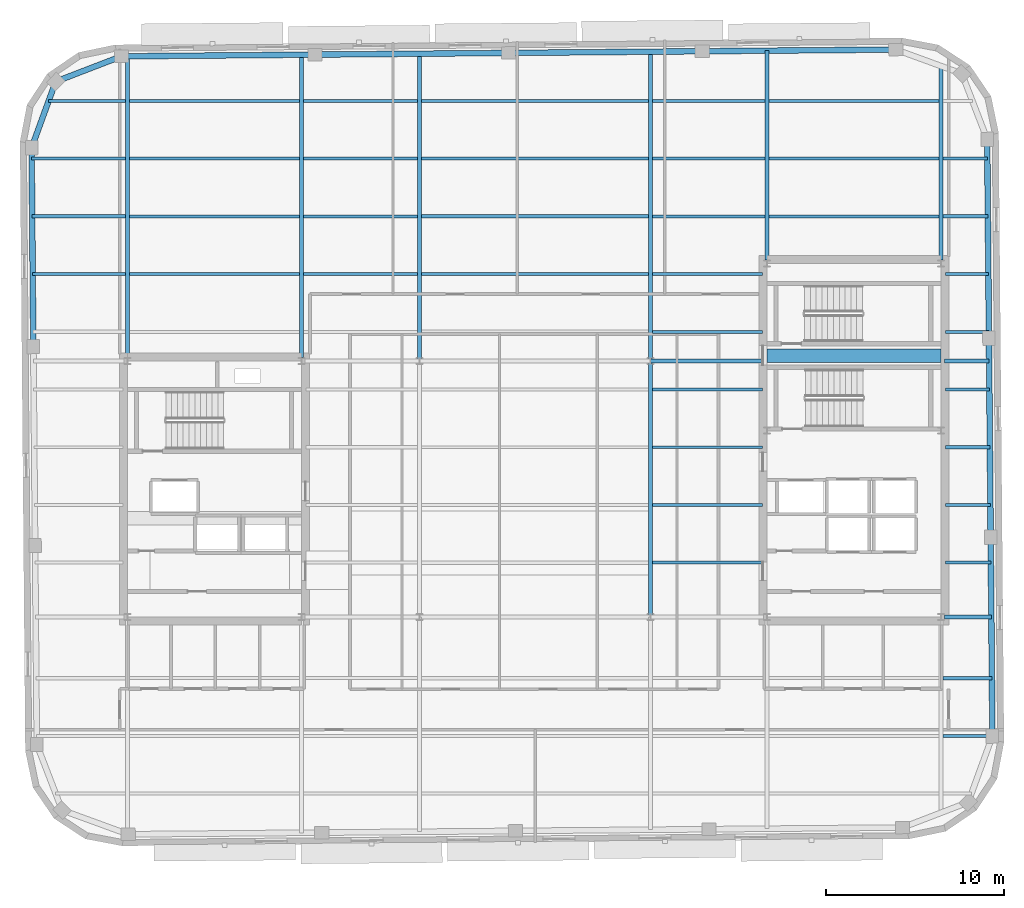
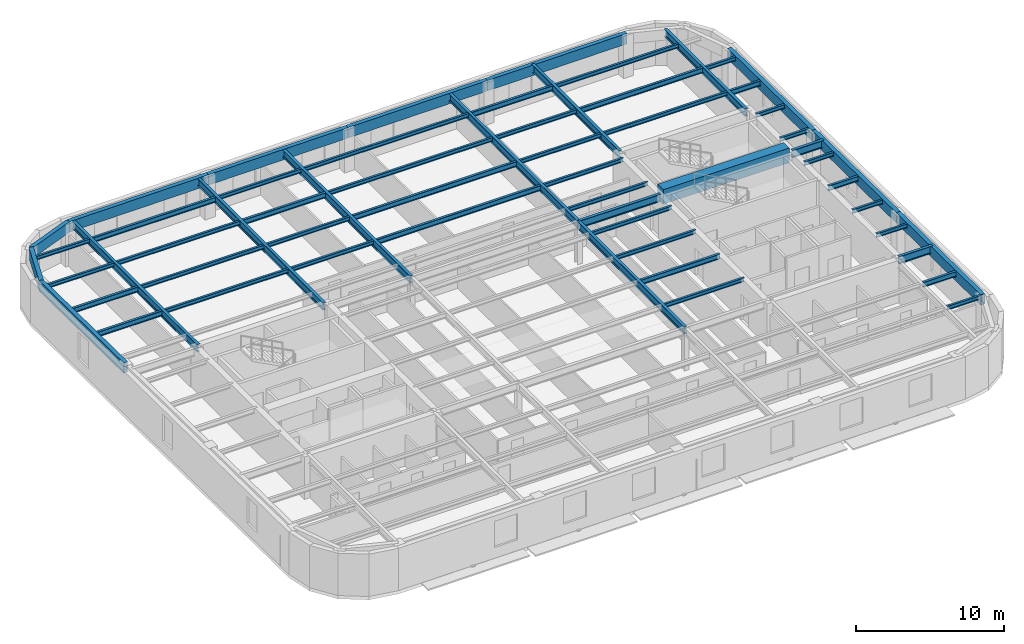
# One storey, part 5 of 14: 59 beams.
"""IFC4 building model written with IfcOpenShell, lengths in metres."""

from ifc_helpers import new_model, si_unit, direction, frame, origin, origin_2d, place, context, subcontext, project, spatial, rectangle, hollow_rectangle, i_section, extrude, material, material_profile, profile_set, type_object, element, save


model = new_model("IFC4")

# Units and contexts
model_context = context("Model", 3, precision=1e-05, world=origin(), true_north=direction((0.0, 1.0)))
body_context = subcontext(model_context, "Body", "Model", "MODEL_VIEW")
ifc_project = project(units=[si_unit("LENGTHUNIT", "METRE"), si_unit("AREAUNIT", "SQUARE_METRE"), si_unit("VOLUMEUNIT", "CUBIC_METRE"), si_unit("PLANEANGLEUNIT", "RADIAN"), si_unit("MASSUNIT", "GRAM", prefix="KILO")], contexts=[model_context])

# Site, building, storey
site_placement = place(None, origin())
site = spatial("IfcSite", under=ifc_project, at=site_placement, CompositionType="ELEMENT")
building_placement = place(site_placement, origin())
building = spatial("IfcBuilding", under=site, at=building_placement, Name="Kolvaren Arena Tower", CompositionType="ELEMENT")
storey_placement = place(building_placement, frame((0.0, 0.0, 297.39990234375)))
storey = spatial("IfcBuildingStorey", under=building, at=storey_placement, Name="L73", CompositionType="ELEMENT", Elevation=297.39990234375)

# Beams
ifc_material_1 = material(Name="Steel CSA G40.21 350W", Category="steel")
ifc_material_profile_1 = material_profile(ifc_material_1, i_section(OverallWidth=0.180908203125, OverallDepth=0.4169921875, WebThickness=0.010986328125, FlangeThickness=0.018310546875, FilletRadius=0.011962890625, at=origin_2d()), Name="W410x85")
ifc_profile_set_1 = profile_set([ifc_material_profile_1], Name="Steel CSA G40.21 350W")
beam_type_1 = type_object("IfcBeamType", Name="BEAM-F3", PredefinedType="BEAM", material=ifc_profile_set_1)
beam_1_placement = place(storey_placement, frame((60.464111328125, 16.0, 3.271484375), z_axis=(1.0, 0.0, 0.0), x_axis=(0.0, 1.0, 0.0)))
element("IfcBeam", 1, at=beam_1_placement, inside=storey, type_object=beam_type_1, Name="Composite Floor Beam (L73)", PredefinedType="BEAM", context=body_context, shape_type="SweptSolid", body=[
    extrude(i_section(OverallWidth=0.180908203125, OverallDepth=0.4169921875, WebThickness=0.010986328125, FlangeThickness=0.018310546875, FilletRadius=0.011962890625, at=origin_2d()), origin(), (0.0, 0.0, 1.0), 2.7529296875),
])
beam_2_placement = place(storey_placement, frame((44.114013671875, 25.75, 3.271484375), z_axis=(1.0, 0.0, 0.0), x_axis=(0.0, 1.0, 0.0)))
element("IfcBeam", 2, at=beam_2_placement, inside=storey, type_object=beam_type_1, Name="Composite Floor Beam (L73)", PredefinedType="BEAM", context=body_context, shape_type="SweptSolid", body=[
    extrude(i_section(OverallWidth=0.180908203125, OverallDepth=0.4169921875, WebThickness=0.010986328125, FlangeThickness=0.018310546875, FilletRadius=0.011962890625, at=origin_2d()), origin(), (0.0, 0.0, 1.0), 6.19091796875),
])
beam_3_placement = place(storey_placement, frame((60.594970703125, 29.0, 3.271484375), z_axis=(1.0, 0.0, 0.0), x_axis=(0.0, 1.0, 0.0)))
element("IfcBeam", 3, at=beam_3_placement, inside=storey, type_object=beam_type_1, Name="Composite Floor Beam (L73)", PredefinedType="BEAM", context=body_context, shape_type="SweptSolid", body=[
    extrude(i_section(OverallWidth=0.180908203125, OverallDepth=0.4169921875, WebThickness=0.010986328125, FlangeThickness=0.018310546875, FilletRadius=0.011962890625, at=origin_2d()), origin(), (0.0, 0.0, 1.0), 2.508544921875),
])
beam_4_placement = place(storey_placement, frame((9.216552734375, 38.75, 3.271484375), z_axis=(1.0, 0.0, 0.0), x_axis=(0.0, 1.0, 0.0)))
element("IfcBeam", 4, at=beam_4_placement, inside=storey, type_object=beam_type_1, Name="Composite Floor Beam (L73)", PredefinedType="BEAM", context=body_context, shape_type="SweptSolid", body=[
    extrude(i_section(OverallWidth=0.180908203125, OverallDepth=0.4169921875, WebThickness=0.010986328125, FlangeThickness=0.018310546875, FilletRadius=0.011962890625, at=origin_2d()), origin(), (0.0, 0.0, 1.0), 5.219482421875),
])
beam_5_placement = place(storey_placement, frame((31.114013671875, 38.75, 3.271484375), z_axis=(1.0, 0.0, 0.0), x_axis=(0.0, 1.0, 0.0)))
element("IfcBeam", 5, at=beam_5_placement, inside=storey, type_object=beam_type_1, Name="Composite Floor Beam (L73)", PredefinedType="BEAM", context=body_context, shape_type="SweptSolid", body=[
    extrude(i_section(OverallWidth=0.180908203125, OverallDepth=0.4169921875, WebThickness=0.010986328125, FlangeThickness=0.018310546875, FilletRadius=0.011962890625, at=origin_2d()), origin(), (0.0, 0.0, 1.0), 12.77197265625),
])
beam_6_placement = place(storey_placement, frame((9.18798828125, 42.0, 3.271484375), z_axis=(1.0, 0.0, 0.0), x_axis=(0.0, 1.0, 0.0)))
element("IfcBeam", 6, at=beam_6_placement, inside=storey, type_object=beam_type_1, Name="Composite Floor Beam (L73)", PredefinedType="BEAM", context=body_context, shape_type="SweptSolid", body=[
    extrude(i_section(OverallWidth=0.180908203125, OverallDepth=0.4169921875, WebThickness=0.010986328125, FlangeThickness=0.018310546875, FilletRadius=0.011962890625, at=origin_2d()), origin(), (0.0, 0.0, 1.0), 5.248046875),
])
beam_7_placement = place(storey_placement, frame((31.114013671875, 42.0, 3.271484375), z_axis=(1.0, 0.0, 0.0), x_axis=(0.0, 1.0, 0.0)))
element("IfcBeam", 7, at=beam_7_placement, inside=storey, type_object=beam_type_1, Name="Composite Floor Beam (L73)", PredefinedType="BEAM", context=body_context, shape_type="SweptSolid", body=[
    extrude(i_section(OverallWidth=0.180908203125, OverallDepth=0.4169921875, WebThickness=0.010986328125, FlangeThickness=0.018310546875, FilletRadius=0.011962890625, at=origin_2d()), origin(), (0.0, 0.0, 1.0), 12.77197265625),
])
beam_8_placement = place(storey_placement, frame((60.464111328125, 42.0, 3.271484375), z_axis=(1.0, 0.0, 0.0), x_axis=(0.0, 1.0, 0.0)))
element("IfcBeam", 8, at=beam_8_placement, inside=storey, type_object=beam_type_1, Name="Composite Floor Beam (L73)", PredefinedType="BEAM", context=body_context, shape_type="SweptSolid", body=[
    extrude(i_section(OverallWidth=0.180908203125, OverallDepth=0.4169921875, WebThickness=0.010986328125, FlangeThickness=0.018310546875, FilletRadius=0.011962890625, at=origin_2d()), origin(), (0.0, 0.0, 1.0), 2.526123046875),
])
beam_9_placement = place(storey_placement, frame((24.464111328125, 45.25, 3.271484375), z_axis=(1.0, 0.0, 0.0), x_axis=(0.0, 1.0, 0.0)))
element("IfcBeam", 9, at=beam_9_placement, inside=storey, type_object=beam_type_1, Name="Composite Floor Beam (L73)", PredefinedType="BEAM", context=body_context, shape_type="SweptSolid", body=[
    extrude(i_section(OverallWidth=0.180908203125, OverallDepth=0.4169921875, WebThickness=0.010986328125, FlangeThickness=0.018310546875, FilletRadius=0.011962890625, at=origin_2d()), origin(), (0.0, 0.0, 1.0), 6.421875),
])
for number, where, z_axis, x_axis, name in (
    (10, (50.6640625, 45.25, 3.271484375), (1.0, 0.0, 0.0), (0.0, 1.0, 0.0), "Composite Floor Beam (L73)"),
    (11, (14.6640625, 48.5, 3.271484375), (1.0, 0.0, 0.0), (0.0, 1.0, 0.0), "Composite Floor Beam (L73)"),
):
    element("IfcBeam", number, at=place(storey_placement, frame(where, z_axis=z_axis, x_axis=x_axis)), inside=storey, type_object=beam_type_1, Name=name, PredefinedType="BEAM", context=body_context, shape_type="SweptSolid", body=[
        extrude(i_section(OverallWidth=0.180908203125, OverallDepth=0.4169921875, WebThickness=0.010986328125, FlangeThickness=0.018310546875, FilletRadius=0.011962890625, at=origin_2d()), origin(), (0.0, 0.0, 1.0), 9.572021484375),
    ])
beam_10_placement = place(storey_placement, frame((44.114013671875, 48.5, 3.271484375), z_axis=(1.0, 0.0, 0.0), x_axis=(0.0, 1.0, 0.0)))
element("IfcBeam", 12, at=beam_10_placement, inside=storey, type_object=beam_type_1, Name="Composite Floor Beam (L73)", PredefinedType="BEAM", context=body_context, shape_type="SweptSolid", body=[
    extrude(i_section(OverallWidth=0.180908203125, OverallDepth=0.4169921875, WebThickness=0.010986328125, FlangeThickness=0.018310546875, FilletRadius=0.011962890625, at=origin_2d()), origin(), (0.0, 0.0, 1.0), 6.322021484375),
])
ifc_material_2 = material(Name="Concrete 60 MPa", Category="concrete")
ifc_material_profile_2 = material_profile(ifc_material_2, rectangle(XDim=0.75, YDim=1.199951171875, at=origin_2d()), Name="RC-750x1200")
ifc_profile_set_2 = profile_set([ifc_material_profile_2], Name="Concrete 60 MPa")
beam_type_2 = type_object("IfcBeamType", Name="CB-CORE-2", PredefinedType="BEAM", material=ifc_profile_set_2)
beam_11_placement = place(storey_placement, frame((50.550048828125, 34.14990234375, 3.150146484375), z_axis=(1.0, 0.0, 0.0), x_axis=(0.0, 1.0, 0.0)))
element("IfcBeam", 13, at=beam_11_placement, inside=storey, type_object=beam_type_2, Name="East Core Coupling Beam (L73)", PredefinedType="BEAM", context=body_context, shape_type="SweptSolid", body=[
    extrude(rectangle(XDim=0.75, YDim=1.199951171875, at=origin_2d()), origin(), (0.0, 0.0, 1.0), 9.800048828125),
])
ifc_material_profile_3 = material_profile(ifc_material_1, i_section(OverallWidth=0.22802734375, OverallDepth=0.615966796875, WebThickness=0.013916015625, FlangeThickness=0.02490234375, FilletRadius=0.014892578125, at=origin_2d()), Name="W610x174")
ifc_profile_set_3 = profile_set([ifc_material_profile_3], Name="Steel CSA G40.21 350W")
beam_type_3 = type_object("IfcBeamType", Name="GIRD-T3", PredefinedType="BEAM", material=ifc_profile_set_3)
beam_12_placement = place(storey_placement, frame((60.554931640625, 19.449951171875, 3.172119140625), z_axis=(1.0, 0.0, 0.0), x_axis=(0.0, 1.0, 0.0)))
element("IfcBeam", 14, at=beam_12_placement, inside=storey, type_object=beam_type_3, Name="Primary Floor Girder (L73)", PredefinedType="BEAM", context=body_context, shape_type="SweptSolid", body=[
    extrude(i_section(OverallWidth=0.22802734375, OverallDepth=0.615966796875, WebThickness=0.013916015625, FlangeThickness=0.02490234375, FilletRadius=0.014892578125, at=origin_2d()), origin(), (0.0, 0.0, 1.0), 2.632080078125),
])
beam_13_placement = place(storey_placement, frame((44.0, 33.85009765625, 3.172119140625), z_axis=(1.0, 0.0, 0.0), x_axis=(0.0, 1.0, 0.0)))
element("IfcBeam", 15, at=beam_13_placement, inside=storey, type_object=beam_type_3, Name="Primary Floor Girder (L73)", PredefinedType="BEAM", context=body_context, shape_type="SweptSolid", body=[
    extrude(i_section(OverallWidth=0.22802734375, OverallDepth=0.615966796875, WebThickness=0.013916015625, FlangeThickness=0.02490234375, FilletRadius=0.014892578125, at=origin_2d()), origin(), (0.0, 0.0, 1.0), 6.344970703125),
])
beam_14_placement = place(storey_placement, frame((60.554931640625, 33.85009765625, 3.172119140625), z_axis=(1.0, 0.0, 0.0), x_axis=(0.0, 1.0, 0.0)))
element("IfcBeam", 16, at=beam_14_placement, inside=storey, type_object=beam_type_3, Name="Primary Floor Girder (L73)", PredefinedType="BEAM", context=body_context, shape_type="SweptSolid", body=[
    extrude(i_section(OverallWidth=0.22802734375, OverallDepth=0.615966796875, WebThickness=0.013916015625, FlangeThickness=0.02490234375, FilletRadius=0.014892578125, at=origin_2d()), origin(), (0.0, 0.0, 1.0), 2.50634765625),
])
beam_15_placement = place(storey_placement, frame((14.550048828125, 34.054931640625, 3.172119140625), z_axis=(0.0, 1.0, 0.0), x_axis=(-1.0, 0.0, 0.0)))
element("IfcBeam", 17, at=beam_15_placement, inside=storey, type_object=beam_type_3, Name="Primary Floor Girder (L73)", PredefinedType="BEAM", context=body_context, shape_type="SweptSolid", body=[
    extrude(i_section(OverallWidth=0.22802734375, OverallDepth=0.615966796875, WebThickness=0.013916015625, FlangeThickness=0.02490234375, FilletRadius=0.014892578125, at=origin_2d()), origin(), (0.0, 0.0, 1.0), 16.95703125),
])
beam_16_placement = place(storey_placement, frame((24.35009765625, 34.054931640625, 3.172119140625), z_axis=(0.0, 1.0, 0.0), x_axis=(-1.0, 0.0, 0.0)))
element("IfcBeam", 18, at=beam_16_placement, inside=storey, type_object=beam_type_3, Name="Primary Floor Girder (L73)", PredefinedType="BEAM", context=body_context, shape_type="SweptSolid", body=[
    extrude(i_section(OverallWidth=0.22802734375, OverallDepth=0.615966796875, WebThickness=0.013916015625, FlangeThickness=0.02490234375, FilletRadius=0.014892578125, at=origin_2d()), origin(), (0.0, 0.0, 1.0), 17.04248046875),
])
beam_17_placement = place(storey_placement, frame((31.0, 33.85009765625, 3.172119140625), z_axis=(0.0, 1.0, 0.0), x_axis=(-1.0, 0.0, 0.0)))
element("IfcBeam", 19, at=beam_17_placement, inside=storey, type_object=beam_type_3, Name="Primary Floor Girder (L73)", PredefinedType="BEAM", context=body_context, shape_type="SweptSolid", body=[
    extrude(i_section(OverallWidth=0.22802734375, OverallDepth=0.615966796875, WebThickness=0.013916015625, FlangeThickness=0.02490234375, FilletRadius=0.014892578125, at=origin_2d()), origin(), (0.0, 0.0, 1.0), 17.305419921875),
])
beam_18_placement = place(storey_placement, frame((44.0, 19.449951171875, 3.172119140625), z_axis=(0.0, 1.0, 0.0), x_axis=(-1.0, 0.0, 0.0)))
element("IfcBeam", 20, at=beam_18_placement, inside=storey, type_object=beam_type_3, Name="Primary Floor Girder (L73)", PredefinedType="BEAM", context=body_context, shape_type="SweptSolid", body=[
    extrude(i_section(OverallWidth=0.22802734375, OverallDepth=0.615966796875, WebThickness=0.013916015625, FlangeThickness=0.02490234375, FilletRadius=0.014892578125, at=origin_2d()), origin(), (0.0, 0.0, 1.0), 14.400146484375),
])
beam_19_placement = place(storey_placement, frame((44.0, 33.85009765625, 3.172119140625), z_axis=(0.0, 1.0, 0.0), x_axis=(-1.0, 0.0, 0.0)))
element("IfcBeam", 21, at=beam_19_placement, inside=storey, type_object=beam_type_3, Name="Primary Floor Girder (L73)", PredefinedType="BEAM", context=body_context, shape_type="SweptSolid", body=[
    extrude(i_section(OverallWidth=0.22802734375, OverallDepth=0.615966796875, WebThickness=0.013916015625, FlangeThickness=0.02490234375, FilletRadius=0.014892578125, at=origin_2d()), origin(), (0.0, 0.0, 1.0), 17.418701171875),
])
beam_20_placement = place(storey_placement, frame((50.550048828125, 39.554931640625, 3.172119140625), z_axis=(0.0, 1.0, 0.0), x_axis=(-1.0, 0.0, 0.0)))
element("IfcBeam", 22, at=beam_20_placement, inside=storey, type_object=beam_type_3, Name="Primary Floor Girder (L73)", PredefinedType="BEAM", context=body_context, shape_type="SweptSolid", body=[
    extrude(i_section(OverallWidth=0.22802734375, OverallDepth=0.615966796875, WebThickness=0.013916015625, FlangeThickness=0.02490234375, FilletRadius=0.014892578125, at=origin_2d()), origin(), (0.0, 0.0, 1.0), 11.771240234375),
])
beam_21_placement = place(storey_placement, frame((60.35009765625, 39.554931640625, 3.172119140625), z_axis=(0.0, 1.0, 0.0), x_axis=(-1.0, 0.0, 0.0)))
element("IfcBeam", 23, at=beam_21_placement, inside=storey, type_object=beam_type_3, Name="Primary Floor Girder (L73)", PredefinedType="BEAM", context=body_context, shape_type="SweptSolid", body=[
    extrude(i_section(OverallWidth=0.22802734375, OverallDepth=0.615966796875, WebThickness=0.013916015625, FlangeThickness=0.02490234375, FilletRadius=0.014892578125, at=origin_2d()), origin(), (0.0, 0.0, 1.0), 10.90625),
])
ifc_material_profile_4 = material_profile(ifc_material_1, i_section(OverallWidth=0.1669921875, OverallDepth=0.31689453125, WebThickness=0.007568359375, FlangeThickness=0.01318359375, FilletRadius=0.010009765625, at=origin_2d()), Name="W310x52")
ifc_profile_set_4 = profile_set([ifc_material_profile_4], Name="Steel CSA G40.21 350W")
beam_type_4 = type_object("IfcBeamType", Name="JOIST-02", PredefinedType="JOIST", material=ifc_profile_set_4)
beam_22_placement = place(storey_placement, frame((60.464111328125, 12.75, 3.321533203125), z_axis=(1.0, 0.0, 0.0), x_axis=(0.0, 1.0, 0.0)))
element("IfcBeam", 24, at=beam_22_placement, inside=storey, type_object=beam_type_4, Name="Composite Floor Joist (L73)", PredefinedType="JOIST", context=body_context, shape_type="SweptSolid", body=[
    extrude(i_section(OverallWidth=0.1669921875, OverallDepth=0.31689453125, WebThickness=0.007568359375, FlangeThickness=0.01318359375, FilletRadius=0.010009765625, at=origin_2d()), origin(), (0.0, 0.0, 1.0), 2.781494140625),
])
beam_23_placement = place(storey_placement, frame((44.114013671875, 22.5, 3.321533203125), z_axis=(1.0, 0.0, 0.0), x_axis=(0.0, 1.0, 0.0)))
element("IfcBeam", 25, at=beam_23_placement, inside=storey, type_object=beam_type_4, Name="Composite Floor Joist (L73)", PredefinedType="JOIST", context=body_context, shape_type="SweptSolid", body=[
    extrude(i_section(OverallWidth=0.1669921875, OverallDepth=0.31689453125, WebThickness=0.007568359375, FlangeThickness=0.01318359375, FilletRadius=0.010009765625, at=origin_2d()), origin(), (0.0, 0.0, 1.0), 6.19091796875),
])
beam_24_placement = place(storey_placement, frame((60.594970703125, 22.5, 3.321533203125), z_axis=(1.0, 0.0, 0.0), x_axis=(0.0, 1.0, 0.0)))
element("IfcBeam", 26, at=beam_24_placement, inside=storey, type_object=beam_type_4, Name="Composite Floor Joist (L73)", PredefinedType="JOIST", context=body_context, shape_type="SweptSolid", body=[
    extrude(i_section(OverallWidth=0.1669921875, OverallDepth=0.31689453125, WebThickness=0.007568359375, FlangeThickness=0.01318359375, FilletRadius=0.010009765625, at=origin_2d()), origin(), (0.0, 0.0, 1.0), 2.5654296875),
])
beam_25_placement = place(storey_placement, frame((60.594970703125, 25.75, 3.321533203125), z_axis=(1.0, 0.0, 0.0), x_axis=(0.0, 1.0, 0.0)))
element("IfcBeam", 27, at=beam_25_placement, inside=storey, type_object=beam_type_4, Name="Composite Floor Joist (L73)", PredefinedType="JOIST", context=body_context, shape_type="SweptSolid", body=[
    extrude(i_section(OverallWidth=0.1669921875, OverallDepth=0.31689453125, WebThickness=0.007568359375, FlangeThickness=0.01318359375, FilletRadius=0.010009765625, at=origin_2d()), origin(), (0.0, 0.0, 1.0), 2.537109375),
])
for number, where, z_axis, x_axis, name in (
    (28, (44.114013671875, 29.0, 3.321533203125), (1.0, 0.0, 0.0), (0.0, 1.0, 0.0), "Composite Floor Joist (L73)"),
    (29, (44.114013671875, 32.25, 3.321533203125), (1.0, 0.0, 0.0), (0.0, 1.0, 0.0), "Composite Floor Joist (L73)"),
):
    element("IfcBeam", number, at=place(storey_placement, frame(where, z_axis=z_axis, x_axis=x_axis)), inside=storey, type_object=beam_type_4, Name=name, PredefinedType="JOIST", context=body_context, shape_type="SweptSolid", body=[
        extrude(i_section(OverallWidth=0.1669921875, OverallDepth=0.31689453125, WebThickness=0.007568359375, FlangeThickness=0.01318359375, FilletRadius=0.010009765625, at=origin_2d()), origin(), (0.0, 0.0, 1.0), 6.19091796875),
    ])
beam_26_placement = place(storey_placement, frame((60.594970703125, 32.25, 3.321533203125), z_axis=(1.0, 0.0, 0.0), x_axis=(0.0, 1.0, 0.0)))
element("IfcBeam", 30, at=beam_26_placement, inside=storey, type_object=beam_type_4, Name="Composite Floor Joist (L73)", PredefinedType="JOIST", context=body_context, shape_type="SweptSolid", body=[
    extrude(i_section(OverallWidth=0.1669921875, OverallDepth=0.31689453125, WebThickness=0.007568359375, FlangeThickness=0.01318359375, FilletRadius=0.010009765625, at=origin_2d()), origin(), (0.0, 0.0, 1.0), 2.480224609375),
])
beam_27_placement = place(storey_placement, frame((44.114013671875, 35.5, 3.321533203125), z_axis=(1.0, 0.0, 0.0), x_axis=(0.0, 1.0, 0.0)))
element("IfcBeam", 31, at=beam_27_placement, inside=storey, type_object=beam_type_4, Name="Composite Floor Joist (L73)", PredefinedType="JOIST", context=body_context, shape_type="SweptSolid", body=[
    extrude(i_section(OverallWidth=0.1669921875, OverallDepth=0.31689453125, WebThickness=0.007568359375, FlangeThickness=0.01318359375, FilletRadius=0.010009765625, at=origin_2d()), origin(), (0.0, 0.0, 1.0), 6.19091796875),
])
beam_28_placement = place(storey_placement, frame((60.594970703125, 35.5, 3.321533203125), z_axis=(1.0, 0.0, 0.0), x_axis=(0.0, 1.0, 0.0)))
element("IfcBeam", 32, at=beam_28_placement, inside=storey, type_object=beam_type_4, Name="Composite Floor Joist (L73)", PredefinedType="JOIST", context=body_context, shape_type="SweptSolid", body=[
    extrude(i_section(OverallWidth=0.1669921875, OverallDepth=0.31689453125, WebThickness=0.007568359375, FlangeThickness=0.01318359375, FilletRadius=0.010009765625, at=origin_2d()), origin(), (0.0, 0.0, 1.0), 2.451904296875),
])
beam_29_placement = place(storey_placement, frame((14.6640625, 38.75, 3.321533203125), z_axis=(1.0, 0.0, 0.0), x_axis=(0.0, 1.0, 0.0)))
element("IfcBeam", 33, at=beam_29_placement, inside=storey, type_object=beam_type_4, Name="Composite Floor Joist (L73)", PredefinedType="JOIST", context=body_context, shape_type="SweptSolid", body=[
    extrude(i_section(OverallWidth=0.1669921875, OverallDepth=0.31689453125, WebThickness=0.007568359375, FlangeThickness=0.01318359375, FilletRadius=0.010009765625, at=origin_2d()), origin(), (0.0, 0.0, 1.0), 9.572021484375),
])
beam_30_placement = place(storey_placement, frame((24.464111328125, 38.75, 3.321533203125), z_axis=(1.0, 0.0, 0.0), x_axis=(0.0, 1.0, 0.0)))
element("IfcBeam", 34, at=beam_30_placement, inside=storey, type_object=beam_type_4, Name="Composite Floor Joist (L73)", PredefinedType="JOIST", context=body_context, shape_type="SweptSolid", body=[
    extrude(i_section(OverallWidth=0.1669921875, OverallDepth=0.31689453125, WebThickness=0.007568359375, FlangeThickness=0.01318359375, FilletRadius=0.010009765625, at=origin_2d()), origin(), (0.0, 0.0, 1.0), 6.421875),
])
beam_31_placement = place(storey_placement, frame((44.114013671875, 38.75, 3.321533203125), z_axis=(1.0, 0.0, 0.0), x_axis=(0.0, 1.0, 0.0)))
element("IfcBeam", 35, at=beam_31_placement, inside=storey, type_object=beam_type_4, Name="Composite Floor Joist (L73)", PredefinedType="JOIST", context=body_context, shape_type="SweptSolid", body=[
    extrude(i_section(OverallWidth=0.1669921875, OverallDepth=0.31689453125, WebThickness=0.007568359375, FlangeThickness=0.01318359375, FilletRadius=0.010009765625, at=origin_2d()), origin(), (0.0, 0.0, 1.0), 6.19091796875),
])
beam_32_placement = place(storey_placement, frame((60.594970703125, 38.75, 3.321533203125), z_axis=(1.0, 0.0, 0.0), x_axis=(0.0, 1.0, 0.0)))
element("IfcBeam", 36, at=beam_32_placement, inside=storey, type_object=beam_type_4, Name="Composite Floor Joist (L73)", PredefinedType="JOIST", context=body_context, shape_type="SweptSolid", body=[
    extrude(i_section(OverallWidth=0.1669921875, OverallDepth=0.31689453125, WebThickness=0.007568359375, FlangeThickness=0.01318359375, FilletRadius=0.010009765625, at=origin_2d()), origin(), (0.0, 0.0, 1.0), 2.423583984375),
])
beam_33_placement = place(storey_placement, frame((14.6640625, 42.0, 3.321533203125), z_axis=(1.0, 0.0, 0.0), x_axis=(0.0, 1.0, 0.0)))
element("IfcBeam", 37, at=beam_33_placement, inside=storey, type_object=beam_type_4, Name="Composite Floor Joist (L73)", PredefinedType="JOIST", context=body_context, shape_type="SweptSolid", body=[
    extrude(i_section(OverallWidth=0.1669921875, OverallDepth=0.31689453125, WebThickness=0.007568359375, FlangeThickness=0.01318359375, FilletRadius=0.010009765625, at=origin_2d()), origin(), (0.0, 0.0, 1.0), 9.572021484375),
])
beam_34_placement = place(storey_placement, frame((24.464111328125, 42.0, 3.321533203125), z_axis=(1.0, 0.0, 0.0), x_axis=(0.0, 1.0, 0.0)))
element("IfcBeam", 38, at=beam_34_placement, inside=storey, type_object=beam_type_4, Name="Composite Floor Joist (L73)", PredefinedType="JOIST", context=body_context, shape_type="SweptSolid", body=[
    extrude(i_section(OverallWidth=0.1669921875, OverallDepth=0.31689453125, WebThickness=0.007568359375, FlangeThickness=0.01318359375, FilletRadius=0.010009765625, at=origin_2d()), origin(), (0.0, 0.0, 1.0), 6.421875),
])
beam_35_placement = place(storey_placement, frame((44.114013671875, 42.0, 3.321533203125), z_axis=(1.0, 0.0, 0.0), x_axis=(0.0, 1.0, 0.0)))
element("IfcBeam", 39, at=beam_35_placement, inside=storey, type_object=beam_type_4, Name="Composite Floor Joist (L73)", PredefinedType="JOIST", context=body_context, shape_type="SweptSolid", body=[
    extrude(i_section(OverallWidth=0.1669921875, OverallDepth=0.31689453125, WebThickness=0.007568359375, FlangeThickness=0.01318359375, FilletRadius=0.010009765625, at=origin_2d()), origin(), (0.0, 0.0, 1.0), 6.322021484375),
])
beam_36_placement = place(storey_placement, frame((50.6640625, 42.0, 3.321533203125), z_axis=(1.0, 0.0, 0.0), x_axis=(0.0, 1.0, 0.0)))
element("IfcBeam", 40, at=beam_36_placement, inside=storey, type_object=beam_type_4, Name="Composite Floor Joist (L73)", PredefinedType="JOIST", context=body_context, shape_type="SweptSolid", body=[
    extrude(i_section(OverallWidth=0.1669921875, OverallDepth=0.31689453125, WebThickness=0.007568359375, FlangeThickness=0.01318359375, FilletRadius=0.010009765625, at=origin_2d()), origin(), (0.0, 0.0, 1.0), 9.572021484375),
])
beam_37_placement = place(storey_placement, frame((9.159912109375, 45.25, 3.321533203125), z_axis=(1.0, 0.0, 0.0), x_axis=(0.0, 1.0, 0.0)))
element("IfcBeam", 41, at=beam_37_placement, inside=storey, type_object=beam_type_4, Name="Composite Floor Joist (L73)", PredefinedType="JOIST", context=body_context, shape_type="SweptSolid", body=[
    extrude(i_section(OverallWidth=0.1669921875, OverallDepth=0.31689453125, WebThickness=0.007568359375, FlangeThickness=0.01318359375, FilletRadius=0.010009765625, at=origin_2d()), origin(), (0.0, 0.0, 1.0), 5.276123046875),
])
beam_38_placement = place(storey_placement, frame((14.6640625, 45.25, 3.321533203125), z_axis=(1.0, 0.0, 0.0), x_axis=(0.0, 1.0, 0.0)))
element("IfcBeam", 42, at=beam_38_placement, inside=storey, type_object=beam_type_4, Name="Composite Floor Joist (L73)", PredefinedType="JOIST", context=body_context, shape_type="SweptSolid", body=[
    extrude(i_section(OverallWidth=0.1669921875, OverallDepth=0.31689453125, WebThickness=0.007568359375, FlangeThickness=0.01318359375, FilletRadius=0.010009765625, at=origin_2d()), origin(), (0.0, 0.0, 1.0), 9.572021484375),
])
beam_39_placement = place(storey_placement, frame((31.114013671875, 45.25, 3.321533203125), z_axis=(1.0, 0.0, 0.0), x_axis=(0.0, 1.0, 0.0)))
element("IfcBeam", 43, at=beam_39_placement, inside=storey, type_object=beam_type_4, Name="Composite Floor Joist (L73)", PredefinedType="JOIST", context=body_context, shape_type="SweptSolid", body=[
    extrude(i_section(OverallWidth=0.1669921875, OverallDepth=0.31689453125, WebThickness=0.007568359375, FlangeThickness=0.01318359375, FilletRadius=0.010009765625, at=origin_2d()), origin(), (0.0, 0.0, 1.0), 12.77197265625),
])
beam_40_placement = place(storey_placement, frame((44.114013671875, 45.25, 3.321533203125), z_axis=(1.0, 0.0, 0.0), x_axis=(0.0, 1.0, 0.0)))
element("IfcBeam", 44, at=beam_40_placement, inside=storey, type_object=beam_type_4, Name="Composite Floor Joist (L73)", PredefinedType="JOIST", context=body_context, shape_type="SweptSolid", body=[
    extrude(i_section(OverallWidth=0.1669921875, OverallDepth=0.31689453125, WebThickness=0.007568359375, FlangeThickness=0.01318359375, FilletRadius=0.010009765625, at=origin_2d()), origin(), (0.0, 0.0, 1.0), 6.322021484375),
])
beam_41_placement = place(storey_placement, frame((60.464111328125, 45.25, 3.321533203125), z_axis=(1.0, 0.0, 0.0), x_axis=(0.0, 1.0, 0.0)))
element("IfcBeam", 45, at=beam_41_placement, inside=storey, type_object=beam_type_4, Name="Composite Floor Joist (L73)", PredefinedType="JOIST", context=body_context, shape_type="SweptSolid", body=[
    extrude(i_section(OverallWidth=0.1669921875, OverallDepth=0.31689453125, WebThickness=0.007568359375, FlangeThickness=0.01318359375, FilletRadius=0.010009765625, at=origin_2d()), origin(), (0.0, 0.0, 1.0), 2.497802734375),
])
beam_42_placement = place(storey_placement, frame((10.11669921875, 48.5, 3.321533203125), z_axis=(1.0, 0.0, 0.0), x_axis=(0.0, 1.0, 0.0)))
element("IfcBeam", 46, at=beam_42_placement, inside=storey, type_object=beam_type_4, Name="Composite Floor Joist (L73)", PredefinedType="JOIST", context=body_context, shape_type="SweptSolid", body=[
    extrude(i_section(OverallWidth=0.1669921875, OverallDepth=0.31689453125, WebThickness=0.007568359375, FlangeThickness=0.01318359375, FilletRadius=0.010009765625, at=origin_2d()), origin(), (0.0, 0.0, 1.0), 4.3193359375),
])
beam_43_placement = place(storey_placement, frame((24.464111328125, 48.5, 3.321533203125), z_axis=(1.0, 0.0, 0.0), x_axis=(0.0, 1.0, 0.0)))
element("IfcBeam", 47, at=beam_43_placement, inside=storey, type_object=beam_type_4, Name="Composite Floor Joist (L73)", PredefinedType="JOIST", context=body_context, shape_type="SweptSolid", body=[
    extrude(i_section(OverallWidth=0.1669921875, OverallDepth=0.31689453125, WebThickness=0.007568359375, FlangeThickness=0.01318359375, FilletRadius=0.010009765625, at=origin_2d()), origin(), (0.0, 0.0, 1.0), 6.421875),
])
beam_44_placement = place(storey_placement, frame((31.114013671875, 48.5, 3.321533203125), z_axis=(1.0, 0.0, 0.0), x_axis=(0.0, 1.0, 0.0)))
element("IfcBeam", 48, at=beam_44_placement, inside=storey, type_object=beam_type_4, Name="Composite Floor Joist (L73)", PredefinedType="JOIST", context=body_context, shape_type="SweptSolid", body=[
    extrude(i_section(OverallWidth=0.1669921875, OverallDepth=0.31689453125, WebThickness=0.007568359375, FlangeThickness=0.01318359375, FilletRadius=0.010009765625, at=origin_2d()), origin(), (0.0, 0.0, 1.0), 12.77197265625),
])
beam_45_placement = place(storey_placement, frame((50.6640625, 48.5, 3.321533203125), z_axis=(1.0, 0.0, 0.0), x_axis=(0.0, 1.0, 0.0)))
element("IfcBeam", 49, at=beam_45_placement, inside=storey, type_object=beam_type_4, Name="Composite Floor Joist (L73)", PredefinedType="JOIST", context=body_context, shape_type="SweptSolid", body=[
    extrude(i_section(OverallWidth=0.1669921875, OverallDepth=0.31689453125, WebThickness=0.007568359375, FlangeThickness=0.01318359375, FilletRadius=0.010009765625, at=origin_2d()), origin(), (0.0, 0.0, 1.0), 9.572021484375),
])
ifc_material_3 = material(Name="Steel CSA G40.21 350WT", Category="steel")
ifc_material_profile_5 = material_profile(ifc_material_3, hollow_rectangle(XDim=0.320068359375, YDim=0.860107421875, WallThickness=0.01806640625, at=origin_2d()), Name="HSS 860x320x18")
ifc_profile_set_5 = profile_set([ifc_material_profile_5], Name="Steel CSA G40.21 350WT")
beam_type_5 = type_object("IfcBeamType", Name="SPAND-02", PredefinedType="SPANDREL", material=ifc_profile_set_5)
beam_46_placement = place(storey_placement, frame((63.24560546875, 12.7353515625, 3.050048828125), z_axis=(-0.008741001013, 0.999961796721, 0.0), x_axis=(-0.999961796721, -0.008741001013, 0.0)))
element("IfcBeam", 50, at=beam_46_placement, inside=storey, type_object=beam_type_5, Name="Perimeter Spandrel Beam (L73)", PredefinedType="SPANDREL", context=body_context, shape_type="SweptSolid", body=[
    extrude(hollow_rectangle(XDim=0.320068359375, YDim=0.860107421875, WallThickness=0.01806640625, at=origin_2d()), origin(), (0.0, 0.0, 1.0), 11.2001953125),
])
for number, where, z_axis, x_axis, name in (
    (51, (63.147705078125, 23.93505859375, 3.050048828125), (-0.008719394723, 0.999961985355, 0.0), (-0.999961985355, -0.008719394723, 0.0), "Perimeter Spandrel Beam (L73)"),
    (52, (63.050048828125, 35.134521484375, 3.050048828125), (-0.008719394723, 0.999961985355, 0.0), (-0.999961985355, -0.008719394723, 0.0), "Perimeter Spandrel Beam (L73)"),
):
    element("IfcBeam", number, at=place(storey_placement, frame(where, z_axis=z_axis, x_axis=x_axis)), inside=storey, type_object=beam_type_5, Name=name, PredefinedType="SPANDREL", context=body_context, shape_type="SweptSolid", body=[
        extrude(hollow_rectangle(XDim=0.320068359375, YDim=0.860107421875, WallThickness=0.01806640625, at=origin_2d()), origin(), (0.0, 0.0, 1.0), 11.199951171875),
    ])
for number, where, z_axis, x_axis, name in (
    (53, (57.80810546875, 51.389404296875, 3.050048828125), (-0.999961846999, -0.008735247404, 0.0), (0.008735247404, -0.999961846999, 0.0), "Perimeter Spandrel Beam (L73)"),
    (54, (46.908447265625, 51.294189453125, 3.050048828125), (-0.999962042393, -0.008712851036, 0.0), (0.008712851036, -0.999962042393, 0.0), "Perimeter Spandrel Beam (L73)"),
):
    element("IfcBeam", number, at=place(storey_placement, frame(where, z_axis=z_axis, x_axis=x_axis)), inside=storey, type_object=beam_type_5, Name=name, PredefinedType="SPANDREL", context=body_context, shape_type="SweptSolid", body=[
        extrude(hollow_rectangle(XDim=0.320068359375, YDim=0.860107421875, WallThickness=0.01806640625, at=origin_2d()), origin(), (0.0, 0.0, 1.0), 10.900146484375),
    ])
beam_47_placement = place(storey_placement, frame((36.0087890625, 51.19921875, 3.050048828125), z_axis=(-0.999961845289, -0.008735443053, 0.0), x_axis=(0.008735443053, -0.999961845289, 0.0)))
element("IfcBeam", 55, at=beam_47_placement, inside=storey, type_object=beam_type_5, Name="Perimeter Spandrel Beam (L73)", PredefinedType="SPANDREL", context=body_context, shape_type="SweptSolid", body=[
    extrude(hollow_rectangle(XDim=0.320068359375, YDim=0.860107421875, WallThickness=0.01806640625, at=origin_2d()), origin(), (0.0, 0.0, 1.0), 10.89990234375),
])
beam_48_placement = place(storey_placement, frame((25.109375, 51.10400390625, 3.050048828125), z_axis=(-0.999961846999, -0.008735247404, 0.0), x_axis=(0.008735247404, -0.999961846999, 0.0)))
element("IfcBeam", 56, at=beam_48_placement, inside=storey, type_object=beam_type_5, Name="Perimeter Spandrel Beam (L73)", PredefinedType="SPANDREL", context=body_context, shape_type="SweptSolid", body=[
    extrude(hollow_rectangle(XDim=0.320068359375, YDim=0.860107421875, WallThickness=0.01806640625, at=origin_2d()), origin(), (0.0, 0.0, 1.0), 10.900146484375),
])
beam_49_placement = place(storey_placement, frame((14.209716796875, 51.0087890625, 3.050048828125), z_axis=(-0.933210515777, -0.359330117362, 0.0), x_axis=(0.359330117362, -0.933210515777, 0.0)))
element("IfcBeam", 57, at=beam_49_placement, inside=storey, type_object=beam_type_5, Name="Perimeter Spandrel Beam (L73)", PredefinedType="SPANDREL", context=body_context, shape_type="SweptSolid", body=[
    extrude(hollow_rectangle(XDim=0.320068359375, YDim=0.860107421875, WallThickness=0.01806640625, at=origin_2d()), origin(), (0.0, 0.0, 1.0), 3.961181640625),
])
beam_50_placement = place(storey_placement, frame((10.51318359375, 49.58544921875, 3.050048828125), z_axis=(-0.343039242335, -0.939321073019, 0.0), x_axis=(0.939321073019, -0.343039242335, 0.0)))
element("IfcBeam", 58, at=beam_50_placement, inside=storey, type_object=beam_type_5, Name="Perimeter Spandrel Beam (L73)", PredefinedType="SPANDREL", context=body_context, shape_type="SweptSolid", body=[
    extrude(hollow_rectangle(XDim=0.320068359375, YDim=0.860107421875, WallThickness=0.01806640625, at=origin_2d()), origin(), (0.0, 0.0, 1.0), 3.96142578125),
])
beam_51_placement = place(storey_placement, frame((9.154296875, 45.864501953125, 3.050048828125), z_axis=(0.008741191547, -0.999961795055, 0.0), x_axis=(0.999961795055, 0.008741191547, 0.0)))
element("IfcBeam", 59, at=beam_51_placement, inside=storey, type_object=beam_type_5, Name="Perimeter Spandrel Beam (L73)", PredefinedType="SPANDREL", context=body_context, shape_type="SweptSolid", body=[
    extrude(hollow_rectangle(XDim=0.320068359375, YDim=0.860107421875, WallThickness=0.01806640625, at=origin_2d()), origin(), (0.0, 0.0, 1.0), 11.199951171875),
])

save(model, "model.ifc")
